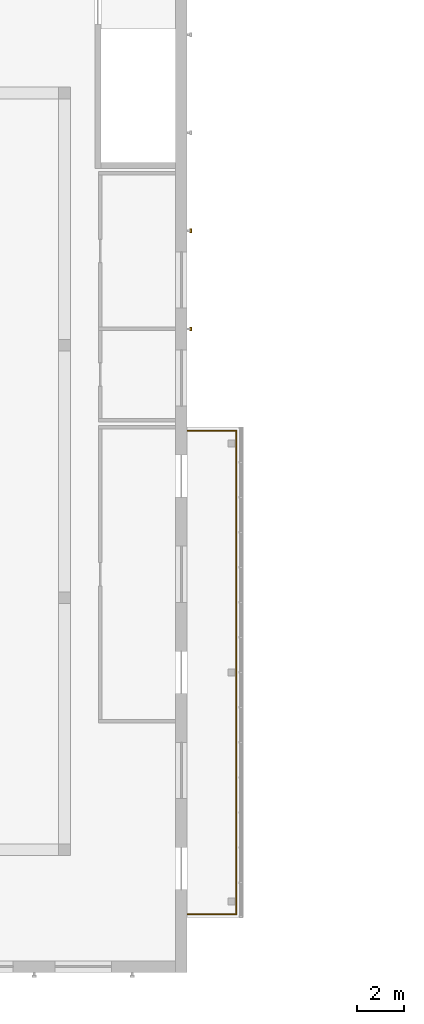
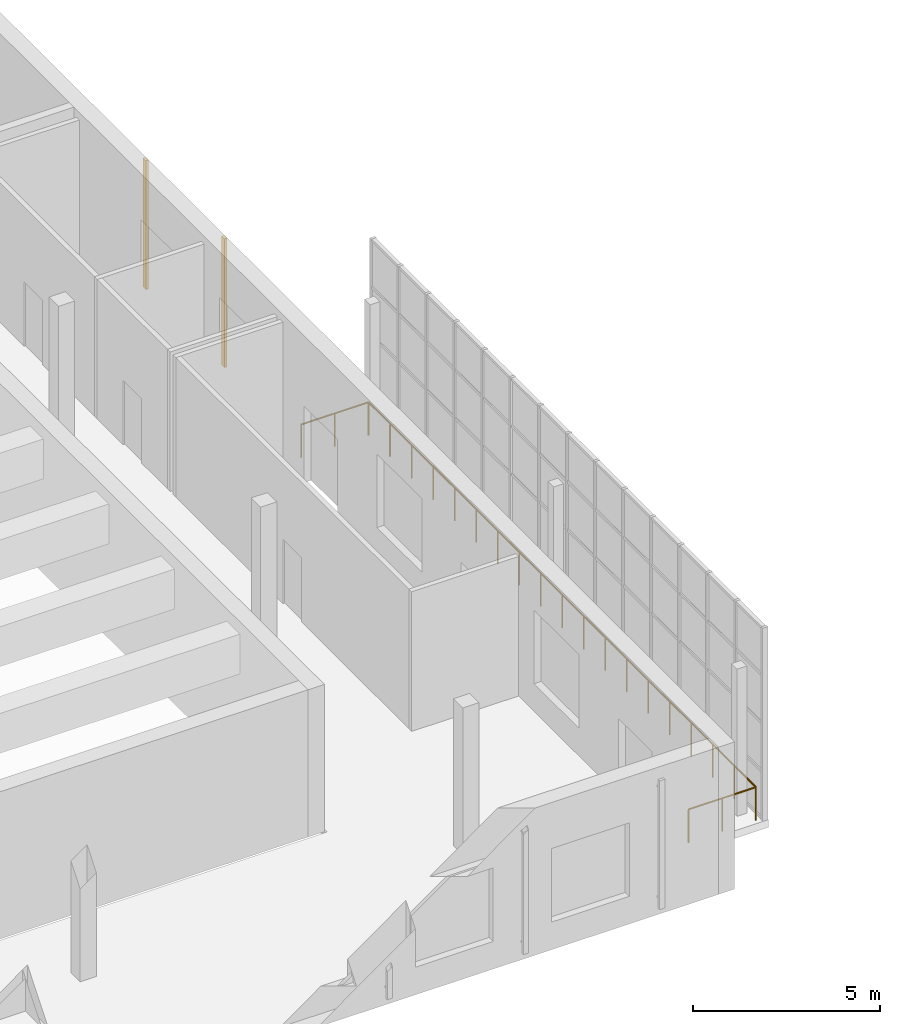
# One storey, part 102 of 116: 2 shading devices, 1 railing.
"""IFC4 building model written with IfcOpenShell, lengths in metres."""

from ifc_helpers import new_model, si_unit, direction, frame, origin, origin_2d, place, context, subcontext, project, spatial, rectangle, circle, extrude, material, type_object, element, save


model = new_model("IFC4")

# Units and contexts
model_context = context("Model", 3, precision=1e-05, world=origin(), true_north=direction((0.0, 1.0)))
body_context = subcontext(model_context, "Body", "Model", "MODEL_VIEW")
ifc_project = project(units=[si_unit("LENGTHUNIT", "METRE"), si_unit("AREAUNIT", "SQUARE_METRE"), si_unit("VOLUMEUNIT", "CUBIC_METRE"), si_unit("PLANEANGLEUNIT", "RADIAN"), si_unit("MASSUNIT", "GRAM", prefix="KILO")], contexts=[model_context])

# Site, building, storey
site_placement = place(None, origin())
site = spatial("IfcSite", under=ifc_project, at=site_placement, CompositionType="ELEMENT")
building_placement = place(site_placement, origin())
building = spatial("IfcBuilding", under=site, at=building_placement, Name="Ljudholm Concert House", CompositionType="ELEMENT")
storey_placement = place(building_placement, frame((0.0, 0.0, 10.199951171875)))
storey = spatial("IfcBuildingStorey", under=building, at=storey_placement, Name="L02", CompositionType="ELEMENT", Elevation=10.199951171875)

# Shading devices
ifc_material_1 = material(Name="Aluminium extrusion with timber-grain PVDF finish", Category="aluminium")
shading_device_type = type_object("IfcShadingDeviceType", Name="FACADE FIN 80x160", PredefinedType="SHUTTER", material=ifc_material_1)
for number, where, z_axis, x_axis, name in (
    (1, (46.409912109375, 31.300048828125, 0.30029296875), (0.0, 0.0, 1.0), (1.0, 0.0, 0.0), "Facade fin"),
    (2, (46.409912109375, 35.5, 0.30029296875), (0.0, 0.0, 1.0), (1.0, 0.0, 0.0), "Facade fin"),
):
    element("IfcShadingDevice", number, at=place(storey_placement, frame(where, z_axis=z_axis, x_axis=x_axis)), inside=storey, type_object=shading_device_type, Name=name, PredefinedType="SHUTTER", context=body_context, shape_type="SweptSolid", body=[
        extrude(rectangle(XDim=0.080078125, YDim=0.159912109375, at=origin_2d()), origin(), (0.0, 0.0, 1.0), 4.199951171875),
    ])

# Railing
ifc_material_2 = material(Name="Steel ASTM A36", Category="steel")
railing_type = type_object("IfcRailingType", Name="GUARD 1100 EXTERNAL", PredefinedType="GUARDRAIL", material=ifc_material_2)
railing_placement = place(storey_placement, frame((46.27001953125, 6.25, 0.0)))
element("IfcRailing", 3, at=railing_placement, inside=storey, type_object=railing_type, Name="Loggia guard", PredefinedType="GUARDRAIL", context=body_context, shape_type="SweptSolid", body=[
    extrude(circle(Radius=0.02490234375, at=origin_2d()), frame((0.0, 0.0, 1.0751953125), z_axis=(1.0, 0.0, 0.0), x_axis=(0.0, 1.0, 0.0)), (0.0, 0.0, 1.0), 2.080078125),
    extrude(circle(Radius=0.02490234375, at=origin_2d()), frame((2.080078125, 0.0, 1.0751953125), z_axis=(0.0, 1.0, 0.0), x_axis=(-1.0, 0.0, 0.0)), (0.0, 0.0, 1.0), 20.699951171875),
    extrude(circle(Radius=0.02490234375, at=origin_2d()), frame((2.080078125, 20.699951171875, 1.0751953125), z_axis=(-1.0, 0.0, 0.0), x_axis=(0.0, -1.0, 0.0)), (0.0, 0.0, 1.0), 2.080078125),
    extrude(circle(Radius=0.02099609375, at=origin_2d()), origin(), (0.0, 0.0, 1.0), 1.050048828125),
    extrude(circle(Radius=0.02099609375, at=origin_2d()), frame((1.0400390625, 0.0, 0.0)), (0.0, 0.0, 1.0), 1.050048828125),
    extrude(circle(Radius=0.02099609375, at=origin_2d()), frame((2.080078125, 0.0, 0.0)), (0.0, 0.0, 1.0), 1.050048828125),
    extrude(circle(Radius=0.02099609375, at=origin_2d()), frame((2.080078125, 1.14990234375, 0.0)), (0.0, 0.0, 1.0), 1.050048828125),
    extrude(circle(Radius=0.02099609375, at=origin_2d()), frame((2.080078125, 2.300048828125, 0.0)), (0.0, 0.0, 1.0), 1.050048828125),
    extrude(circle(Radius=0.02099609375, at=origin_2d()), frame((2.080078125, 3.449951171875, 0.0)), (0.0, 0.0, 1.0), 1.050048828125),
    extrude(circle(Radius=0.02099609375, at=origin_2d()), frame((2.080078125, 4.60009765625, 0.0)), (0.0, 0.0, 1.0), 1.050048828125),
    extrude(circle(Radius=0.02099609375, at=origin_2d()), frame((2.080078125, 5.75, 0.0)), (0.0, 0.0, 1.0), 1.050048828125),
    extrude(circle(Radius=0.02099609375, at=origin_2d()), frame((2.080078125, 6.89990234375, 0.0)), (0.0, 0.0, 1.0), 1.050048828125),
    extrude(circle(Radius=0.02099609375, at=origin_2d()), frame((2.080078125, 8.050048828125, 0.0)), (0.0, 0.0, 1.0), 1.050048828125),
    extrude(circle(Radius=0.02099609375, at=origin_2d()), frame((2.080078125, 9.199951171875, 0.0)), (0.0, 0.0, 1.0), 1.050048828125),
    extrude(circle(Radius=0.02099609375, at=origin_2d()), frame((2.080078125, 10.35009765625, 0.0)), (0.0, 0.0, 1.0), 1.050048828125),
    extrude(circle(Radius=0.02099609375, at=origin_2d()), frame((2.080078125, 11.5, 0.0)), (0.0, 0.0, 1.0), 1.050048828125),
    extrude(circle(Radius=0.02099609375, at=origin_2d()), frame((2.080078125, 12.64990234375, 0.0)), (0.0, 0.0, 1.0), 1.050048828125),
    extrude(circle(Radius=0.02099609375, at=origin_2d()), frame((2.080078125, 13.800048828125, 0.0)), (0.0, 0.0, 1.0), 1.050048828125),
    extrude(circle(Radius=0.02099609375, at=origin_2d()), frame((2.080078125, 14.949951171875, 0.0)), (0.0, 0.0, 1.0), 1.050048828125),
    extrude(circle(Radius=0.02099609375, at=origin_2d()), frame((2.080078125, 16.099853515625, 0.0)), (0.0, 0.0, 1.0), 1.050048828125),
    extrude(circle(Radius=0.02099609375, at=origin_2d()), frame((2.080078125, 17.25, 0.0)), (0.0, 0.0, 1.0), 1.050048828125),
    extrude(circle(Radius=0.02099609375, at=origin_2d()), frame((2.080078125, 18.39990234375, 0.0)), (0.0, 0.0, 1.0), 1.050048828125),
    extrude(circle(Radius=0.02099609375, at=origin_2d()), frame((2.080078125, 19.550048828125, 0.0)), (0.0, 0.0, 1.0), 1.050048828125),
    extrude(circle(Radius=0.02099609375, at=origin_2d()), frame((2.080078125, 20.699951171875, 0.0)), (0.0, 0.0, 1.0), 1.050048828125),
    extrude(circle(Radius=0.02099609375, at=origin_2d()), frame((1.0400390625, 20.699951171875, 0.0)), (0.0, 0.0, 1.0), 1.050048828125),
    extrude(circle(Radius=0.02099609375, at=origin_2d()), frame((0.0, 20.699951171875, 0.0)), (0.0, 0.0, 1.0), 1.050048828125),
])

save(model, "model.ifc")
